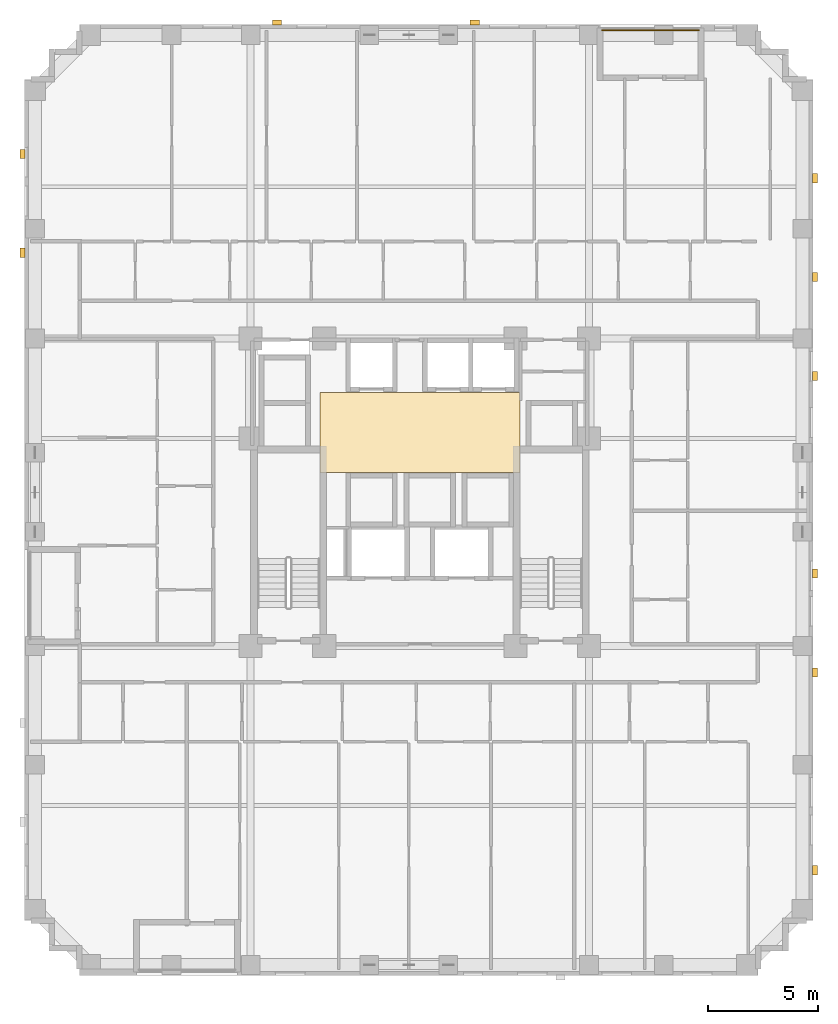
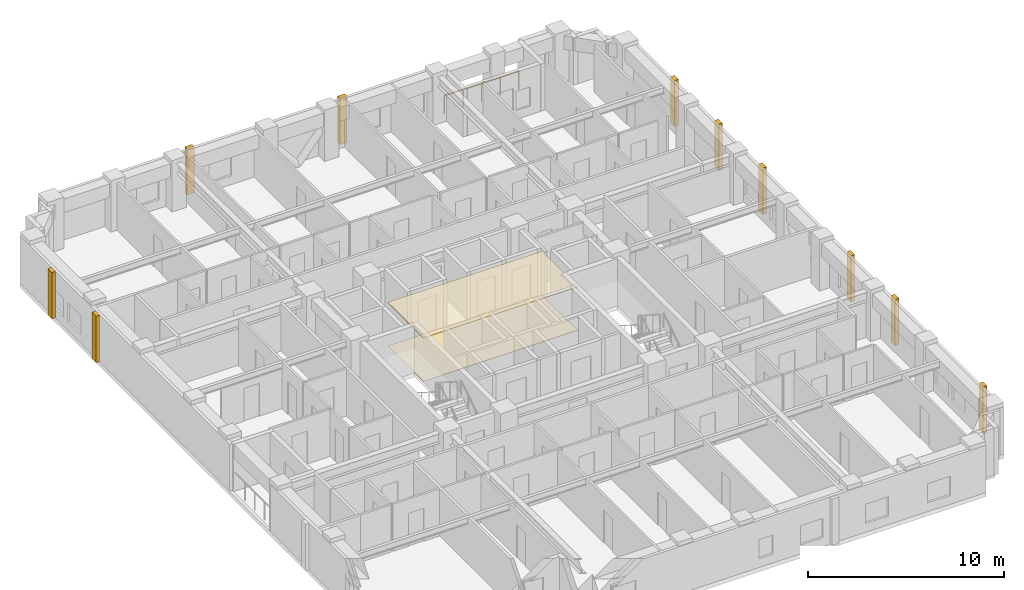
# One storey, part 12 of 12: 12 coverings, 1 railing.
"""IFC4 building model written with IfcOpenShell, lengths in metres."""

from ifc_helpers import new_model, si_unit, derived_unit, direction, frame, origin, origin_2d, place, context, subcontext, project, spatial, polyline, rectangle, circle, outline, extrude, material, layer, layer_set, type_object, element, save


model = new_model("IFC4")

# Units and contexts
model_context = context("Model", 3, precision=1e-05, world=origin(), true_north=direction((0.0, 1.0)))
body_context = subcontext(model_context, "Body", "Model", "MODEL_VIEW")
ifc_project = project(units=[si_unit("LENGTHUNIT", "METRE"), si_unit("AREAUNIT", "SQUARE_METRE"), si_unit("VOLUMEUNIT", "CUBIC_METRE"), si_unit("PLANEANGLEUNIT", "RADIAN"), si_unit("MASSUNIT", "GRAM", prefix="KILO"), derived_unit("THERMALTRANSMITTANCEUNIT", [(si_unit("MASSUNIT", "GRAM", prefix="KILO"), 1), (si_unit("TIMEUNIT", "SECOND"), -3), (si_unit("THERMODYNAMICTEMPERATUREUNIT", "KELVIN"), -1)])], contexts=[model_context])

# Site, building, storey
site_placement = place(None, origin())
site = spatial("IfcSite", under=ifc_project, at=site_placement, CompositionType="ELEMENT")
building_placement = place(site_placement, origin())
building = spatial("IfcBuilding", under=site, at=building_placement, Name="Korrvale Station Residences", CompositionType="ELEMENT")
storey_placement = place(building_placement, frame((0.0, 0.0, 78.300048828125)))
storey = spatial("IfcBuildingStorey", under=building, at=storey_placement, Name="L21", CompositionType="ELEMENT", Elevation=78.300048828125)

# Coverings
ifc_material_1 = material(Name="Perforated acoustic mineral-fibre suspended ceiling", Category="gypsum")
ifc_layer_1 = layer(ifc_material_1, 0.050048828125, Name="Perforated acoustic mineral-fibre suspended ceiling")
ifc_layer_set_1 = layer_set([ifc_layer_1], Name="Perforated acoustic mineral-fibre suspended ceiling")
covering_type_1 = type_object("IfcCoveringType", Name="COV-CLG-AC60", PredefinedType="CEILING", material=ifc_layer_set_1)
covering_1_placement = place(storey_placement, frame((0.0, 0.0, 2.68994140625)))
element("IfcCovering", 1, at=covering_1_placement, inside=storey, type_object=covering_type_1, Name="L21 Elevator Lobby Acoustic Ceiling", PredefinedType="CEILING", context=body_context, shape_type="SweptSolid", body=[
    extrude(outline(polyline([(20.949951171875, 22.89990234375), (30.050048828125, 22.89990234375), (30.050048828125, 26.550048828125), (20.949951171875, 26.550048828125), (20.949951171875, 22.89990234375)])), origin(), (0.0, 0.0, 1.0), 0.050048828125),
])
ifc_material_2 = material(Name="Polished quartz-terrazzo lobby flooring", Category="masonry")
ifc_layer_2 = layer(ifc_material_2, 0.02001953125, Name="Polished quartz-terrazzo lobby flooring")
ifc_layer_set_2 = layer_set([ifc_layer_2], Name="Polished quartz-terrazzo lobby flooring")
covering_type_2 = type_object("IfcCoveringType", Name="COV-FLR-TER20", PredefinedType="FLOORING", material=ifc_layer_set_2)
covering_2_placement = place(storey_placement, origin())
element("IfcCovering", 2, at=covering_2_placement, inside=storey, type_object=covering_type_2, Name="L21 Elevator Lobby Terrazzo Flooring", PredefinedType="FLOORING", context=body_context, shape_type="SweptSolid", body=[
    extrude(outline(polyline([(20.949951171875, 22.89990234375), (30.050048828125, 22.89990234375), (30.050048828125, 26.550048828125), (20.949951171875, 26.550048828125), (20.949951171875, 22.89990234375)])), origin(), (0.0, 0.0, 1.0), 0.02001953125),
])
ifc_material_3 = material(Name="Architectural precast concrete C45/55", Category="concrete")
ifc_layer_3 = layer(ifc_material_3, 0.219970703125, Name="Architectural precast concrete C45/55")
ifc_layer_set_3 = layer_set([ifc_layer_3], Name="Architectural precast concrete C45/55")
covering_type_3 = type_object("IfcCoveringType", Name="COV-PIER-400", PredefinedType="CLADDING", material=ifc_layer_set_3)
for number, where, z_axis, x_axis, name in (
    (3, (19.0, 43.389892578125, 0.02490234375), (0.0, 0.0, 1.0), (1.0, 0.0, 0.0), "L21 Architectural Precast Facade Pier 02"),
    (4, (28.0, 43.389892578125, 0.02490234375), (0.0, 0.0, 1.0), (1.0, 0.0, 0.0), "L21 Architectural Precast Facade Pier 03"),
    (5, (7.409912109375, 32.89990234375, 0.02490234375), (0.0, 0.0, 1.0), (0.0, 1.0, 0.0), "L21 Architectural Precast Facade Pier 06"),
    (6, (7.409912109375, 37.39990234375, 0.02490234375), (0.0, 0.0, 1.0), (0.0, 1.0, 0.0), "L21 Architectural Precast Facade Pier 07"),
    (7, (43.489990234375, 36.300048828125, 0.02490234375), (0.0, 0.0, 1.0), (0.0, 1.0, 0.0), "L21 Architectural Precast Facade Pier 08"),
    (8, (43.489990234375, 31.800048828125, 0.02490234375), (0.0, 0.0, 1.0), (0.0, 1.0, 0.0), "L21 Architectural Precast Facade Pier 09"),
    (9, (43.489990234375, 27.300048828125, 0.02490234375), (0.0, 0.0, 1.0), (0.0, 1.0, 0.0), "L21 Architectural Precast Facade Pier 10"),
    (10, (43.489990234375, 18.300048828125, 0.02490234375), (0.0, 0.0, 1.0), (0.0, 1.0, 0.0), "L21 Architectural Precast Facade Pier 11"),
    (11, (43.489990234375, 13.800048828125, 0.02490234375), (0.0, 0.0, 1.0), (0.0, 1.0, 0.0), "L21 Architectural Precast Facade Pier 12"),
    (12, (43.489990234375, 4.800048828125, 0.02490234375), (0.0, 0.0, 1.0), (0.0, 1.0, 0.0), "L21 Architectural Precast Facade Pier 13"),
):
    element("IfcCovering", number, at=place(storey_placement, frame(where, z_axis=z_axis, x_axis=x_axis)), inside=storey, type_object=covering_type_3, Name=name, PredefinedType="CLADDING", context=body_context, shape_type="SweptSolid", body=[
        extrude(rectangle(XDim=0.419921875, YDim=0.219970703125, at=origin_2d()), origin(), (0.0, 0.0, 1.0), 2.889892578125),
    ])

# Railing
ifc_material_4 = material(Name="Powder-coated aluminium picket loggia guard", Category="aluminium")
railing_type = type_object("IfcRailingType", Name="RLG-BAL-1150", PredefinedType="GUARDRAIL", material=ifc_material_4)
railing_placement = place(storey_placement, frame((33.800048828125, 43.030029296875, 0.0)))
element("IfcRailing", 13, at=railing_placement, inside=storey, type_object=railing_type, Name="L21 Recessed Loggia Guardrail BAL-L21-N1", PredefinedType="GUARDRAIL", context=body_context, shape_type="SweptSolid", body=[
    extrude(circle(Radius=0.02392578125, at=origin_2d()), frame((0.0, 0.0, 1.1259765625), z_axis=(1.0, 0.0, 0.0), x_axis=(0.0, 1.0, 0.0)), (0.0, 0.0, 1.0), 4.39990234375),
    extrude(circle(Radius=0.02099609375, at=origin_2d()), origin(), (0.0, 0.0, 1.0), 1.101806640625),
    extrude(circle(Radius=0.02099609375, at=origin_2d()), frame((1.10009765625, 0.0, 0.0)), (0.0, 0.0, 1.0), 1.101806640625),
    extrude(circle(Radius=0.02099609375, at=origin_2d()), frame((2.199951171875, 0.0, 0.0)), (0.0, 0.0, 1.0), 1.101806640625),
    extrude(circle(Radius=0.02099609375, at=origin_2d()), frame((3.2998046875, 0.0, 0.0)), (0.0, 0.0, 1.0), 1.101806640625),
    extrude(circle(Radius=0.02099609375, at=origin_2d()), frame((4.39990234375, 0.0, 0.0)), (0.0, 0.0, 1.0), 1.101806640625),
])

save(model, "model.ifc")
